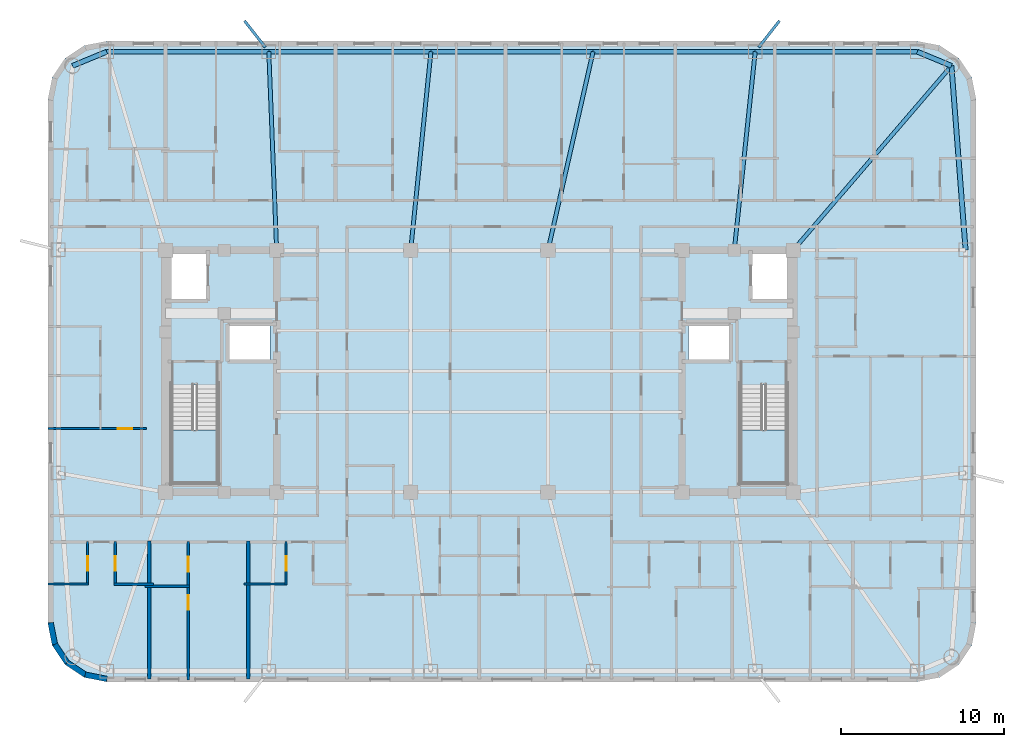
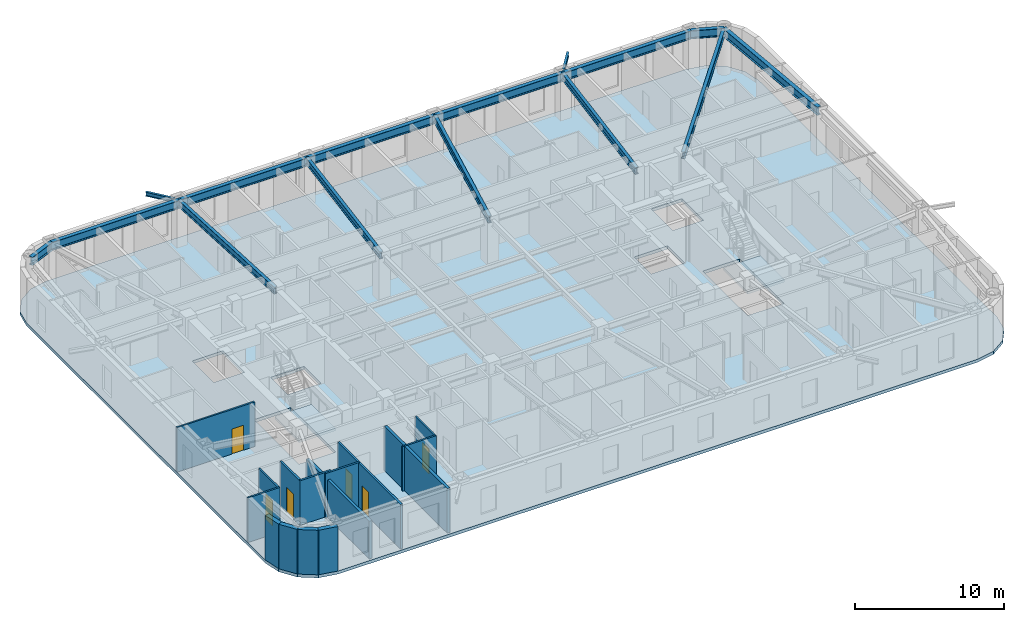
# One storey, part 2 of 11: 16 walls, 15 beams, 6 doors, 3 slabs, 6 openings, 2 elements without a shape of their own.
"""IFC4 building model written with IfcOpenShell, lengths in metres."""

from ifc_helpers import new_model, si_unit, direction, frame, frame_2d, origin, origin_2d, place, context, subcontext, project, spatial, polyline, rectangle, i_section, outline, extrude, material, layer, layer_set, material_profile, profile_set, type_object, element, fill, aggregate, save


model = new_model("IFC4")

# Units and contexts
model_context = context("Model", 3, precision=1e-05, world=origin(), true_north=direction((0.0, 1.0)))
body_context = subcontext(model_context, "Body", "Model", "MODEL_VIEW")
ifc_project = project(units=[si_unit("LENGTHUNIT", "METRE"), si_unit("AREAUNIT", "SQUARE_METRE"), si_unit("VOLUMEUNIT", "CUBIC_METRE"), si_unit("PLANEANGLEUNIT", "RADIAN"), si_unit("MASSUNIT", "GRAM", prefix="KILO")], contexts=[model_context])

# Site, building, storey
site_placement = place(None, origin())
site = spatial("IfcSite", under=ifc_project, at=site_placement, CompositionType="ELEMENT")
building_placement = place(site_placement, origin())
building = spatial("IfcBuilding", under=site, at=building_placement, Name="Voryun Gate Residences", CompositionType="ELEMENT")
storey_placement = place(building_placement, frame((0.0, 0.0, 227.5)))
storey = spatial("IfcBuildingStorey", under=building, at=storey_placement, Name="L56", CompositionType="ELEMENT", Elevation=227.5)

# Beams
ifc_material_1 = material(Name="Steel SM355", Category="steel")
ifc_material_profile_1 = material_profile(ifc_material_1, i_section(OverallWidth=0.169921875, OverallDepth=0.340087890625, WebThickness=0.008056640625, FlangeThickness=0.013916015625, FilletRadius=0.01806640625, at=origin_2d()), Name="H-340x170x8x14")
ifc_profile_set_1 = profile_set([ifc_material_profile_1], Name="Steel SM355")
beam_type_1 = type_object("IfcBeamType", Name="BM_BALC_EDGE", PredefinedType="JOIST", material=ifc_profile_set_1)
for number, where, z_axis, x_axis, name in (
    (1, (17.09619140625, 19.8251953125, 3.47998046875), (0.617611146463, 0.786483611886, 0.0), (-0.786483611886, 0.617611146463, 0.0), "BM-L56-BALBRK-N2"),
    (2, (-13.09619140625, 19.8251953125, 3.47998046875), (-0.617611146463, 0.786483611886, 0.0), (-0.786483611886, -0.617611146463, 0.0), "BM-L56-BALBRK-N5"),
):
    element("IfcBeam", number, at=place(storey_placement, frame(where, z_axis=z_axis, x_axis=x_axis)), inside=storey, type_object=beam_type_1, Name=name, PredefinedType="JOIST", context=body_context, shape_type="SweptSolid", body=[
        extrude(i_section(OverallWidth=0.169921875, OverallDepth=0.340087890625, WebThickness=0.008056640625, FlangeThickness=0.013916015625, FilletRadius=0.01806640625, at=origin_2d()), origin(), (0.0, 0.0, 1.0), 2.050048828125),
    ])
ifc_material_2 = material(Name="Steel SM355", Category="steel")
ifc_material_profile_2 = material_profile(ifc_material_2, i_section(OverallWidth=0.300048828125, OverallDepth=0.679931640625, WebThickness=0.013916015625, FlangeThickness=0.02490234375, FilletRadius=0.01806640625, at=origin_2d()), Name="H-680x300x14x25")
ifc_profile_set_2 = profile_set([ifc_material_profile_2], Name="Steel SM355")
beam_type_2 = type_object("IfcBeamType", Name="BM_EXO_SPANDREL_M", PredefinedType="SPANDREL", material=ifc_profile_set_2)
beam_1_placement = place(storey_placement, frame((29.75, 7.422119140625, 3.31005859375), z_axis=(-0.076481657417, 0.997070988485, 0.0), x_axis=(-0.997070988485, -0.076481657417, 0.0)))
element("IfcBeam", 3, at=beam_1_placement, inside=storey, type_object=beam_type_2, Name="BM-L56-SPAND-09", PredefinedType="SPANDREL", context=body_context, shape_type="SweptSolid", body=[
    extrude(i_section(OverallWidth=0.300048828125, OverallDepth=0.679931640625, WebThickness=0.013916015625, FlangeThickness=0.02490234375, FilletRadius=0.01806640625, at=origin_2d()), origin(), (0.0, 0.0, 1.0), 11.297119140625),
])
beam_2_placement = place(storey_placement, frame((28.885986328125, 18.68603515625, 3.31005859375), z_axis=(-0.923881087602, 0.382679678022, 0.0), x_axis=(-0.382679678022, -0.923881087602, 0.0)))
element("IfcBeam", 4, at=beam_2_placement, inside=storey, type_object=beam_type_2, Name="BM-L56-SPAND-10", PredefinedType="SPANDREL", context=body_context, shape_type="SweptSolid", body=[
    extrude(i_section(OverallWidth=0.300048828125, OverallDepth=0.679931640625, WebThickness=0.013916015625, FlangeThickness=0.02490234375, FilletRadius=0.01806640625, at=origin_2d()), origin(), (0.0, 0.0, 1.0), 2.2578125),
])
beam_3_placement = place(storey_placement, frame((26.800048828125, 19.550048828125, 3.31005859375), z_axis=(-1.0, 0.0, 0.0), x_axis=(0.0, -1.0, 0.0)))
element("IfcBeam", 5, at=beam_3_placement, inside=storey, type_object=beam_type_2, Name="BM-L56-SPAND-11", PredefinedType="SPANDREL", context=body_context, shape_type="SweptSolid", body=[
    extrude(i_section(OverallWidth=0.300048828125, OverallDepth=0.679931640625, WebThickness=0.013916015625, FlangeThickness=0.02490234375, FilletRadius=0.01806640625, at=origin_2d()), origin(), (0.0, 0.0, 1.0), 9.920166015625),
])
for number, where, z_axis, x_axis, name in (
    (6, (16.8798828125, 19.550048828125, 3.31005859375), (-1.0, 0.0, 0.0), (0.0, -1.0, 0.0), "BM-L56-SPAND-12"),
    (7, (6.9599609375, 19.550048828125, 3.31005859375), (-1.0, 0.0, 0.0), (0.0, -1.0, 0.0), "BM-L56-SPAND-13"),
    (8, (-2.9599609375, 19.550048828125, 3.31005859375), (-1.0, 0.0, 0.0), (0.0, -1.0, 0.0), "BM-L56-SPAND-14"),
):
    element("IfcBeam", number, at=place(storey_placement, frame(where, z_axis=z_axis, x_axis=x_axis)), inside=storey, type_object=beam_type_2, Name=name, PredefinedType="SPANDREL", context=body_context, shape_type="SweptSolid", body=[
        extrude(i_section(OverallWidth=0.300048828125, OverallDepth=0.679931640625, WebThickness=0.013916015625, FlangeThickness=0.02490234375, FilletRadius=0.01806640625, at=origin_2d()), origin(), (0.0, 0.0, 1.0), 9.919921875),
    ])
beam_4_placement = place(storey_placement, frame((-12.8798828125, 19.550048828125, 3.31005859375), z_axis=(-1.0, 0.0, 0.0), x_axis=(0.0, -1.0, 0.0)))
element("IfcBeam", 9, at=beam_4_placement, inside=storey, type_object=beam_type_2, Name="BM-L56-SPAND-15", PredefinedType="SPANDREL", context=body_context, shape_type="SweptSolid", body=[
    extrude(i_section(OverallWidth=0.300048828125, OverallDepth=0.679931640625, WebThickness=0.013916015625, FlangeThickness=0.02490234375, FilletRadius=0.01806640625, at=origin_2d()), origin(), (0.0, 0.0, 1.0), 9.920166015625),
])
beam_5_placement = place(storey_placement, frame((-22.800048828125, 19.550048828125, 3.31005859375), z_axis=(-0.923881087602, -0.382679678022, 0.0), x_axis=(0.382679678022, -0.923881087602, 0.0)))
element("IfcBeam", 10, at=beam_5_placement, inside=storey, type_object=beam_type_2, Name="BM-L56-SPAND-16", PredefinedType="SPANDREL", context=body_context, shape_type="SweptSolid", body=[
    extrude(i_section(OverallWidth=0.300048828125, OverallDepth=0.679931640625, WebThickness=0.013916015625, FlangeThickness=0.02490234375, FilletRadius=0.01806640625, at=origin_2d()), origin(), (0.0, 0.0, 1.0), 2.2578125),
])
ifc_material_3 = material(Name="Steel SM355", Category="steel")
ifc_material_profile_3 = material_profile(ifc_material_3, i_section(OverallWidth=0.239990234375, OverallDepth=0.550048828125, WebThickness=0.011962890625, FlangeThickness=0.02001953125, FilletRadius=0.01806640625, at=origin_2d()), Name="H-550x240x12x20")
ifc_profile_set_3 = profile_set([ifc_material_profile_3], Name="Steel SM355")
beam_type_3 = type_object("IfcBeamType", Name="BM_GIRD_550", PredefinedType="USERDEFINED", material=ifc_profile_set_3)
beam_6_placement = place(storey_placement, frame((19.199951171875, 7.39990234375, 3.375), z_axis=(0.651264396721, 0.758850898111, 0.0), x_axis=(-0.758850898111, 0.651264396721, 0.0)))
element("IfcBeam", 11, at=beam_6_placement, inside=storey, type_object=beam_type_3, Name="BM-L56-RAD-CNE", ObjectType="GIRDER", PredefinedType="USERDEFINED", context=body_context, shape_type="SweptSolid", body=[
    extrude(i_section(OverallWidth=0.239990234375, OverallDepth=0.550048828125, WebThickness=0.011962890625, FlangeThickness=0.02001953125, FilletRadius=0.01806640625, at=origin_2d()), origin(), (0.0, 0.0, 1.0), 14.87255859375),
])
beam_7_placement = place(storey_placement, frame((15.60009765625, 7.39990234375, 3.375), z_axis=(0.104751358085, 0.994498442925, 0.0), x_axis=(-0.994498442925, 0.104751358085, 0.0)))
element("IfcBeam", 12, at=beam_7_placement, inside=storey, type_object=beam_type_3, Name="BM-L56-RAD-N2", ObjectType="GIRDER", PredefinedType="USERDEFINED", context=body_context, shape_type="SweptSolid", body=[
    extrude(i_section(OverallWidth=0.239990234375, OverallDepth=0.550048828125, WebThickness=0.011962890625, FlangeThickness=0.02001953125, FilletRadius=0.01806640625, at=origin_2d()), origin(), (0.0, 0.0, 1.0), 12.21728515625),
])
beam_8_placement = place(storey_placement, frame((4.199951171875, 7.39990234375, 3.375), z_axis=(0.221515238368, 0.975156910026, 0.0), x_axis=(-0.975156910026, 0.221515238368, 0.0)))
element("IfcBeam", 13, at=beam_8_placement, inside=storey, type_object=beam_type_3, Name="BM-L56-RAD-N3", ObjectType="GIRDER", PredefinedType="USERDEFINED", context=body_context, shape_type="SweptSolid", body=[
    extrude(i_section(OverallWidth=0.239990234375, OverallDepth=0.550048828125, WebThickness=0.011962890625, FlangeThickness=0.02001953125, FilletRadius=0.01806640625, at=origin_2d()), origin(), (0.0, 0.0, 1.0), 12.459716796875),
])
beam_9_placement = place(storey_placement, frame((-4.199951171875, 7.39990234375, 3.375), z_axis=(0.101528223047, 0.994832659257, 0.0), x_axis=(-0.994832659257, 0.101528223047, 0.0)))
element("IfcBeam", 14, at=beam_9_placement, inside=storey, type_object=beam_type_3, Name="BM-L56-RAD-N4", ObjectType="GIRDER", PredefinedType="USERDEFINED", context=body_context, shape_type="SweptSolid", body=[
    extrude(i_section(OverallWidth=0.239990234375, OverallDepth=0.550048828125, WebThickness=0.011962890625, FlangeThickness=0.02001953125, FilletRadius=0.01806640625, at=origin_2d()), origin(), (0.0, 0.0, 1.0), 12.213134765625),
])
beam_10_placement = place(storey_placement, frame((-12.39990234375, 7.39990234375, 3.375), z_axis=(-0.039473300578, 0.999220625558, 0.0), x_axis=(-0.999220625558, -0.039473300578, 0.0)))
element("IfcBeam", 15, at=beam_10_placement, inside=storey, type_object=beam_type_3, Name="BM-L56-RAD-N5", ObjectType="GIRDER", PredefinedType="USERDEFINED", context=body_context, shape_type="SweptSolid", body=[
    extrude(i_section(OverallWidth=0.239990234375, OverallDepth=0.550048828125, WebThickness=0.011962890625, FlangeThickness=0.02001953125, FilletRadius=0.01806640625, at=origin_2d()), origin(), (0.0, 0.0, 1.0), 12.15966796875),
])

# Slab
ifc_material_4 = material(Name="Concrete C40/50", Category="concrete")
ifc_layer_1 = layer(ifc_material_4, 0.25, Name="SLB_RES_250")
ifc_layer_set_1 = layer_set([ifc_layer_1], Name="Concrete C40/50")
slab_type_1 = type_object("IfcSlabType", Name="SLB_RES_250", PredefinedType="FLOOR", material=ifc_layer_set_1)
slab_1_placement = place(storey_placement, frame((0.0, 0.0, -0.25)))
element("IfcSlab", 16, at=slab_1_placement, inside=storey, type_object=slab_type_1, Name="L56 Structural Floor Slab", PredefinedType="FLOOR", context=body_context, shape_type="SweptSolid", body=[
    extrude(outline(polyline([(-22.800048828125, -19.0), (-24.177734375, -18.72607421875), (-25.345458984375, -17.945556640625), (-26.1259765625, -16.777587890625), (-26.39990234375, -15.39990234375), (-26.39990234375, 16.60009765625), (-26.1259765625, 17.9775390625), (-25.345458984375, 19.1455078125), (-24.177734375, 19.926025390625), (-22.800048828125, 20.199951171875), (26.800048828125, 20.199951171875), (28.177734375, 19.926025390625), (29.345458984375, 19.1455078125), (30.1259765625, 17.9775390625), (30.39990234375, 16.60009765625), (30.39990234375, -15.39990234375), (30.1259765625, -16.777587890625), (29.345458984375, -17.945556640625), (28.177734375, -18.72607421875), (26.800048828125, -19.0), (-22.800048828125, -19.0)]), holes=[polyline([(-15.97509765625, -0.840087890625), (-18.824951171875, -0.840087890625), (-18.824951171875, -6.85009765625), (-15.97509765625, -6.85009765625), (-15.97509765625, -0.840087890625)]), polyline([(18.824951171875, -6.85009765625), (18.824951171875, -0.840087890625), (15.97509765625, -0.840087890625), (15.97509765625, -6.85009765625), (18.824951171875, -6.85009765625)]), polyline([(-12.800048828125, 2.89990234375), (-15.39990234375, 2.89990234375), (-15.39990234375, 0.60009765625), (-12.800048828125, 0.60009765625), (-12.800048828125, 2.89990234375)]), polyline([(12.800048828125, 2.89990234375), (12.800048828125, 0.60009765625), (15.39990234375, 0.60009765625), (15.39990234375, 2.89990234375), (12.800048828125, 2.89990234375)]), polyline([(-16.60009765625, 7.199951171875), (-19.0, 7.199951171875), (-19.0, 4.300048828125), (-16.60009765625, 4.300048828125), (-16.60009765625, 7.199951171875)]), polyline([(19.0, 7.199951171875), (16.60009765625, 7.199951171875), (16.60009765625, 4.300048828125), (19.0, 4.300048828125), (19.0, 7.199951171875)])]), origin(), (0.0, 0.0, 1.0), 0.25),
])

# Stair, slab
ifc_material_5 = material(Name="Concrete C40/50", Category="concrete")
stair_type = type_object("IfcStairType", Name="STR_CORE_DOGLEG_1350", PredefinedType="HALF_TURN_STAIR", material=ifc_material_5)
stair_1_placement = place(storey_placement, origin())
stair_1 = element("IfcStair", 17, at=stair_1_placement, inside=storey, type_object=stair_type, Name="L56 Special Escape Stair ST-W1", PredefinedType="HALF_TURN_STAIR")
ifc_material_6 = material(Name="Concrete C40/50", Category="concrete")
ifc_layer_2 = layer(ifc_material_6, 0.199951171875, Name="SLB_STAIR_LANDING_200")
ifc_layer_set_2 = layer_set([ifc_layer_2], Name="Concrete C40/50")
slab_type_2 = type_object("IfcSlabType", Name="SLB_STAIR_LANDING_200", PredefinedType="LANDING", material=ifc_layer_set_2)
slab_2_placement = place(storey_placement, frame((0.0, 0.0, 1.75)))
slab_2 = element("IfcSlab", 18, at=slab_2_placement, type_object=slab_type_2, Name="ST-W1 landing 1", PredefinedType="LANDING", context=body_context, shape_type="SweptSolid", body=[
    extrude(outline(polyline([(-18.824951171875, -3.60009765625), (-18.824951171875, -6.85009765625), (-15.97509765625, -6.85009765625), (-15.97509765625, -3.60009765625), (-18.824951171875, -3.60009765625)])), origin(), (0.0, 0.0, 1.0), 0.199951171875),
])
aggregate(stair_1, [slab_2])

stair_2_placement = place(storey_placement, origin())
stair_2 = element("IfcStair", 19, at=stair_2_placement, inside=storey, type_object=stair_type, Name="L56 Special Escape Stair ST-E1", PredefinedType="HALF_TURN_STAIR")
slab_3_placement = place(storey_placement, frame((0.0, 0.0, 1.75)))
slab_3 = element("IfcSlab", 20, at=slab_3_placement, type_object=slab_type_2, Name="ST-E1 landing 1", PredefinedType="LANDING", context=body_context, shape_type="SweptSolid", body=[
    extrude(outline(polyline([(15.97509765625, -3.60009765625), (15.97509765625, -6.85009765625), (18.824951171875, -6.85009765625), (18.824951171875, -3.60009765625), (15.97509765625, -3.60009765625)])), origin(), (0.0, 0.0, 1.0), 0.199951171875),
])
aggregate(stair_2, [slab_3])

# Walls
ifc_material_7 = material(Name="Charcoal terracotta masonry", Category="masonry")
ifc_layer_3 = layer(ifc_material_7, 0.340087890625, Name="W_EXT_TERRACOTTA_340")
ifc_layer_set_3 = layer_set([ifc_layer_3], Name="Charcoal terracotta masonry")
wall_type_1 = type_object("IfcWallType", Name="W_EXT_TERRACOTTA_340", PredefinedType="ELEMENTEDWALL", material=ifc_layer_set_3)
wall_1_placement = place(storey_placement, frame((-22.783203125, -18.830078125, 0.0), z_axis=(0.0, 0.0, 1.0), x_axis=(-0.980788153188, 0.195075878998, 0.0)))
element("IfcWall", 21, at=wall_1_placement, inside=storey, type_object=wall_type_1, Name="Exterior wall WEXT-L56-02", PredefinedType="ELEMENTEDWALL", context=body_context, shape_type="SweptSolid", body=[
    extrude(rectangle(XDim=1.354248046875, YDim=0.340087890625, at=frame_2d((0.67724609375, 0.0))), origin(), (0.0, 0.0, 1.0), 3.64990234375),
])
wall_2_placement = place(storey_placement, frame((-24.111328125, -18.56591796875, 0.0), z_axis=(0.0, 0.0, 1.0), x_axis=(-0.831403586725, 0.555669034571, 0.0)))
element("IfcWall", 22, at=wall_2_placement, inside=storey, type_object=wall_type_1, Name="Exterior wall WEXT-L56-03", PredefinedType="ELEMENTEDWALL", context=body_context, shape_type="SweptSolid", body=[
    extrude(rectangle(XDim=1.3369140625, YDim=0.340087890625, at=frame_2d((0.66845703125, 0.0))), origin(), (0.0, 0.0, 1.0), 3.64990234375),
])
wall_3_placement = place(storey_placement, frame((-25.222900390625, -17.822998046875, 0.0), z_axis=(0.0, 0.0, 1.0), x_axis=(-0.555584683399, 0.831459956686, 0.0)))
element("IfcWall", 23, at=wall_3_placement, inside=storey, type_object=wall_type_1, Name="Exterior wall WEXT-L56-04", PredefinedType="ELEMENTEDWALL", context=body_context, shape_type="SweptSolid", body=[
    extrude(rectangle(XDim=1.337158203125, YDim=0.340087890625, at=frame_2d((0.66845703125, 0.0))), origin(), (0.0, 0.0, 1.0), 3.64990234375),
])
wall_4_placement = place(storey_placement, frame((-25.9658203125, -16.711181640625, 0.0), z_axis=(0.0, 0.0, 1.0), x_axis=(-0.195110379894, 0.98078129043, 0.0)))
element("IfcWall", 24, at=wall_4_placement, inside=storey, type_object=wall_type_1, Name="Exterior wall WEXT-L56-05", PredefinedType="ELEMENTEDWALL", context=body_context, shape_type="SweptSolid", body=[
    extrude(rectangle(XDim=1.35400390625, YDim=0.340087890625, at=frame_2d((0.677001953125, 0.0))), origin(), (0.0, 0.0, 1.0), 3.64990234375),
])
ifc_material_8 = material(Name="Concrete C40/50", Category="concrete")
ifc_layer_4 = layer(ifc_material_8, 0.219970703125, Name="W_PARTY_ACOUSTIC_220")
ifc_layer_set_4 = layer_set([ifc_layer_4], Name="Concrete C40/50")
wall_type_2 = type_object("IfcWallType", Name="W_PARTY_ACOUSTIC_220", PredefinedType="PARTITIONING", material=ifc_layer_set_4)
wall_5_placement = place(storey_placement, frame((-20.18505859375, -18.830078125, 0.0), z_axis=(0.0, 0.0, 1.0), x_axis=(0.0, 1.0, 0.0)))
element("IfcWall", 25, at=wall_5_placement, inside=storey, type_object=wall_type_2, Name="Partition wall WP-L56-SPTY-1", PredefinedType="PARTITIONING", context=body_context, shape_type="SweptSolid", body=[
    extrude(rectangle(XDim=8.4599609375, YDim=0.219970703125, at=frame_2d((4.22998046875, 0.0))), origin(), (0.0, 0.0, 1.0), 3.090087890625),
])
wall_6_placement = place(storey_placement, frame((-14.132080078125, -18.830078125, 0.0), z_axis=(0.0, 0.0, 1.0), x_axis=(0.0, 1.0, 0.0)))
element("IfcWall", 26, at=wall_6_placement, inside=storey, type_object=wall_type_2, Name="Partition wall WP-L56-SPTY-2", PredefinedType="PARTITIONING", context=body_context, shape_type="SweptSolid", body=[
    extrude(rectangle(XDim=8.4599609375, YDim=0.219970703125, at=frame_2d((4.22998046875, 0.0))), origin(), (0.0, 0.0, 1.0), 3.64990234375),
])

# Wall, opening, door
ifc_material_9 = material(Name="Gypsum acoustic partition")
ifc_layer_5 = layer(ifc_material_9, 0.125, Name="W_UNIT_PART_125")
ifc_layer_set_5 = layer_set([ifc_layer_5], Name="Gypsum acoustic partition")
wall_type_3 = type_object("IfcWallType", Name="W_UNIT_PART_125", PredefinedType="PARTITIONING", material=ifc_layer_set_5)
wall_7_placement = place(storey_placement, frame((-23.9599609375, -13.080078125, 0.0), z_axis=(0.0, 0.0, 1.0), x_axis=(0.0, 1.0, 0.0)))
wall_7 = element("IfcWall", 27, at=wall_7_placement, inside=storey, type_object=wall_type_3, Name="Partition wall WP-L56-S1-CVK", PredefinedType="PARTITIONING", context=body_context, shape_type="SweptSolid", body=[
    extrude(rectangle(XDim=2.650146484375, YDim=0.125, at=frame_2d((1.3251953125, 0.0))), origin(), (0.0, 0.0, 1.0), 3.64990234375),
])
opening_1_placement = place(wall_7_placement, frame((0.875, 0.0, 0.0)))
opening_1 = element("IfcOpeningElement", 28, at=opening_1_placement, cuts=wall_7, Name="Opening D-INT-2", PredefinedType="OPENING", context=body_context, shape_type="SweptSolid", body=[
    extrude(rectangle(XDim=0.89990234375, YDim=2.050048828125, at=frame_2d((0.449951171875, 1.02490234375))), frame((0.0, 0.072509765625, 0.0), z_axis=(0.0, -1.0, 0.0), x_axis=(1.0, 0.0, 0.0)), (0.0, 0.0, 1.0), 0.14501953125),
])
ifc_material_10 = material(Name="Architectural oak veneer")
door_type = type_object("IfcDoorType", Name="DR_INT_BATH_900", OperationType="NOTDEFINED", PredefinedType="DOOR", material=ifc_material_10)
door_1_placement = place(opening_1_placement, origin())
door_1 = element("IfcDoor", 29, at=door_1_placement, inside=storey, type_object=door_type, Name="Door DR-L56-S1-DK", OperationType="SINGLE_SWING_LEFT", OverallHeight=2.050048828125, OverallWidth=0.89990234375, PredefinedType="DOOR", context=body_context, shape_type="SweptSolid", body=[
    extrude(rectangle(XDim=0.89990234375, YDim=2.050048828125, at=frame_2d((0.449951171875, 1.02490234375))), frame((0.0, 0.02490234375, 0.0), z_axis=(0.0, -1.0, 0.0), x_axis=(1.0, 0.0, 0.0)), (0.0, 0.0, 1.0), 0.050048828125),
])
fill(opening_1, door_1)

# Wall
wall_8_placement = place(storey_placement, frame((-26.3798828125, -13.02001953125, 0.0), z_axis=(0.0, 0.0, 1.0), x_axis=(1.0, 0.0, 0.0)))
element("IfcWall", 30, at=wall_8_placement, inside=storey, type_object=wall_type_3, Name="Partition wall WP-L56-S1-CHK", PredefinedType="PARTITIONING", context=body_context, shape_type="SweptSolid", body=[
    extrude(rectangle(XDim=2.47998046875, YDim=0.125, at=frame_2d((1.239990234375, 0.0))), origin(), (0.0, 0.0, 1.0), 3.64990234375),
])

# Wall, opening, door
wall_9_placement = place(storey_placement, frame((-11.818115234375, -13.080078125, 0.0), z_axis=(0.0, 0.0, 1.0), x_axis=(0.0, 1.0, 0.0)))
wall_9 = element("IfcWall", 31, at=wall_9_placement, inside=storey, type_object=wall_type_3, Name="Partition wall WP-L56-S3-CVK", PredefinedType="PARTITIONING", context=body_context, shape_type="SweptSolid", body=[
    extrude(rectangle(XDim=2.650146484375, YDim=0.125, at=frame_2d((1.3251953125, 0.0))), origin(), (0.0, 0.0, 1.0), 3.64990234375),
])
opening_2_placement = place(wall_9_placement, frame((0.875, 0.0, 0.0)))
opening_2 = element("IfcOpeningElement", 32, at=opening_2_placement, cuts=wall_9, Name="Opening D-INT-2", PredefinedType="OPENING", context=body_context, shape_type="SweptSolid", body=[
    extrude(rectangle(XDim=0.89990234375, YDim=2.050048828125, at=frame_2d((0.449951171875, 1.02490234375))), frame((0.0, 0.072509765625, 0.0), z_axis=(0.0, -1.0, 0.0), x_axis=(1.0, 0.0, 0.0)), (0.0, 0.0, 1.0), 0.14501953125),
])
door_2_placement = place(opening_2_placement, origin())
door_2 = element("IfcDoor", 33, at=door_2_placement, inside=storey, type_object=door_type, Name="Door DR-L56-S3-DK", OperationType="SINGLE_SWING_LEFT", OverallHeight=2.050048828125, OverallWidth=0.89990234375, PredefinedType="DOOR", context=body_context, shape_type="SweptSolid", body=[
    extrude(rectangle(XDim=0.89990234375, YDim=2.050048828125, at=frame_2d((0.449951171875, 1.02490234375))), frame((0.0, 0.02490234375, 0.0), z_axis=(0.0, -1.0, 0.0), x_axis=(1.0, 0.0, 0.0)), (0.0, 0.0, 1.0), 0.050048828125),
])
fill(opening_2, door_2)

# Wall
wall_10_placement = place(storey_placement, frame((-14.39208984375, -13.02001953125, 0.0), z_axis=(0.0, 0.0, 1.0), x_axis=(1.0, 0.0, 0.0)))
element("IfcWall", 34, at=wall_10_placement, inside=storey, type_object=wall_type_3, Name="Partition wall WP-L56-S3-CHK", PredefinedType="PARTITIONING", context=body_context, shape_type="SweptSolid", body=[
    extrude(rectangle(XDim=2.634033203125, YDim=0.125, at=frame_2d((1.31689453125, 0.0))), origin(), (0.0, 0.0, 1.0), 3.64990234375),
])

# Wall, opening, door
wall_11_placement = place(storey_placement, frame((-26.3798828125, -3.510009765625, 0.0), z_axis=(0.0, 0.0, 1.0), x_axis=(1.0, 0.0, 0.0)))
wall_11 = element("IfcWall", 35, at=wall_11_placement, inside=storey, type_object=wall_type_3, Name="Partition wall WP-L56-W1-HZ3", PredefinedType="PARTITIONING", context=body_context, shape_type="SweptSolid", body=[
    extrude(rectangle(XDim=6.02978515625, YDim=0.125, at=frame_2d((3.014892578125, 0.0))), origin(), (0.0, 0.0, 1.0), 3.64990234375),
])
opening_3_placement = place(wall_11_placement, frame((4.25341796875, 0.0, 0.0)))
opening_3 = element("IfcOpeningElement", 36, at=opening_3_placement, cuts=wall_11, Name="Opening D-INT-2", PredefinedType="OPENING", context=body_context, shape_type="SweptSolid", body=[
    extrude(rectangle(XDim=0.89990234375, YDim=2.050048828125, at=frame_2d((0.449951171875, 1.02490234375))), frame((0.0, 0.072509765625, 0.0), z_axis=(0.0, -1.0, 0.0), x_axis=(1.0, 0.0, 0.0)), (0.0, 0.0, 1.0), 0.14501953125),
])
door_3_placement = place(opening_3_placement, origin())
door_3 = element("IfcDoor", 37, at=door_3_placement, inside=storey, type_object=door_type, Name="Door DR-L56-W1-DMB", OperationType="SINGLE_SWING_LEFT", OverallHeight=2.050048828125, OverallWidth=0.89990234375, PredefinedType="DOOR", context=body_context, shape_type="SweptSolid", body=[
    extrude(rectangle(XDim=0.89990234375, YDim=2.050048828125, at=frame_2d((0.449951171875, 1.02490234375))), frame((0.0, 0.02490234375, 0.0), z_axis=(0.0, -1.0, 0.0), x_axis=(1.0, 0.0, 0.0)), (0.0, 0.0, 1.0), 0.050048828125),
])
fill(opening_3, door_3)

ifc_material_11 = material(Name="Gypsum moisture-resistant partition")
ifc_layer_6 = layer(ifc_material_11, 0.14990234375, Name="W_WET_PLUMB_150")
ifc_layer_set_6 = layer_set([ifc_layer_6], Name="Gypsum moisture-resistant partition")
wall_type_4 = type_object("IfcWallType", Name="W_WET_PLUMB_150", PredefinedType="PLUMBINGWALL", material=ifc_layer_set_6)
wall_12_placement = place(storey_placement, frame((-22.281982421875, -13.080078125, 0.0), z_axis=(0.0, 0.0, 1.0), x_axis=(0.0, 1.0, 0.0)))
wall_12 = element("IfcWall", 38, at=wall_12_placement, inside=storey, type_object=wall_type_4, Name="Partition wall WP-L56-S1-CVB", PredefinedType="PLUMBINGWALL", context=body_context, shape_type="SweptSolid", body=[
    extrude(rectangle(XDim=2.650146484375, YDim=0.14990234375, at=frame_2d((1.3251953125, 0.0))), origin(), (0.0, 0.0, 1.0), 3.64990234375),
])
opening_4_placement = place(wall_12_placement, frame((0.875, 0.0, 0.0)))
opening_4 = element("IfcOpeningElement", 39, at=opening_4_placement, cuts=wall_12, Name="Opening D-INT-2", PredefinedType="OPENING", context=body_context, shape_type="SweptSolid", body=[
    extrude(rectangle(XDim=0.89990234375, YDim=2.050048828125, at=frame_2d((0.449951171875, 1.02490234375))), frame((0.0, 0.0849609375, 0.0), z_axis=(0.0, -1.0, 0.0), x_axis=(1.0, 0.0, 0.0)), (0.0, 0.0, 1.0), 0.169921875),
])
door_4_placement = place(opening_4_placement, origin())
door_4 = element("IfcDoor", 40, at=door_4_placement, inside=storey, type_object=door_type, Name="Door DR-L56-S1-DB", OperationType="SINGLE_SWING_RIGHT", OverallHeight=2.050048828125, OverallWidth=0.89990234375, PredefinedType="DOOR", context=body_context, shape_type="SweptSolid", body=[
    extrude(rectangle(XDim=0.89990234375, YDim=2.050048828125, at=frame_2d((0.449951171875, 1.02490234375))), frame((0.0, 0.02490234375, 0.0), z_axis=(0.0, -1.0, 0.0), x_axis=(1.0, 0.0, 0.0)), (0.0, 0.0, 1.0), 0.050048828125),
])
fill(opening_4, door_4)

# Walls
wall_13_placement = place(storey_placement, frame((-22.342041015625, -13.02001953125, 0.0), z_axis=(0.0, 0.0, 1.0), x_axis=(1.0, 0.0, 0.0)))
element("IfcWall", 41, at=wall_13_placement, inside=storey, type_object=wall_type_4, Name="Partition wall WP-L56-S1-CHB", PredefinedType="PLUMBINGWALL", context=body_context, shape_type="SweptSolid", body=[
    extrude(rectangle(XDim=2.4169921875, YDim=0.14990234375, at=frame_2d((1.20849609375, 0.0))), origin(), (0.0, 0.0, 1.0), 3.64990234375),
])
wall_14_placement = place(storey_placement, frame((-20.445068359375, -13.14990234375, 0.0), z_axis=(0.0, 0.0, 1.0), x_axis=(1.0, 0.0, 0.0)))
element("IfcWall", 42, at=wall_14_placement, inside=storey, type_object=wall_type_4, Name="Partition wall WP-L56-S2-SKB", PredefinedType="PLUMBINGWALL", context=body_context, shape_type="SweptSolid", body=[
    extrude(rectangle(XDim=2.714111328125, YDim=0.14990234375, at=frame_2d((1.35693359375, 0.0))), origin(), (0.0, 0.0, 1.0), 3.64990234375),
])

# Wall, opening, door
wall_15_placement = place(storey_placement, frame((-17.81103515625, -18.876708984375, 0.0), z_axis=(0.0, 0.0, 1.0), x_axis=(0.0, 1.0, 0.0)))
wall_15 = element("IfcWall", 43, at=wall_15_placement, inside=storey, type_object=wall_type_4, Name="Partition wall WP-L56-S2-SVT1", PredefinedType="PLUMBINGWALL", context=body_context, shape_type="SweptSolid", body=[
    extrude(rectangle(XDim=5.7666015625, YDim=0.14990234375, at=frame_2d((2.88330078125, 0.0))), origin(), (0.0, 0.0, 1.0), 3.64990234375),
])
opening_5_placement = place(wall_15_placement, frame((4.27880859375, 0.0, 0.0)))
opening_5 = element("IfcOpeningElement", 44, at=opening_5_placement, cuts=wall_15, Name="Opening D-INT-2", PredefinedType="OPENING", context=body_context, shape_type="SweptSolid", body=[
    extrude(rectangle(XDim=0.89990234375, YDim=2.050048828125, at=frame_2d((0.449951171875, 1.02490234375))), frame((0.0, 0.0849609375, 0.0), z_axis=(0.0, -1.0, 0.0), x_axis=(1.0, 0.0, 0.0)), (0.0, 0.0, 1.0), 0.169921875),
])
door_5_placement = place(opening_5_placement, origin())
door_5 = element("IfcDoor", 45, at=door_5_placement, inside=storey, type_object=door_type, Name="Door DR-L56-S2-DK", OperationType="SINGLE_SWING_LEFT", OverallHeight=2.050048828125, OverallWidth=0.89990234375, PredefinedType="DOOR", context=body_context, shape_type="SweptSolid", body=[
    extrude(rectangle(XDim=0.89990234375, YDim=2.050048828125, at=frame_2d((0.449951171875, 1.02490234375))), frame((0.0, 0.02490234375, 0.0), z_axis=(0.0, -1.0, 0.0), x_axis=(1.0, 0.0, 0.0)), (0.0, 0.0, 1.0), 0.050048828125),
])
fill(opening_5, door_5)

wall_16_placement = place(storey_placement, frame((-17.81103515625, -13.18994140625, 0.0), z_axis=(0.0, 0.0, 1.0), x_axis=(0.0, 1.0, 0.0)))
wall_16 = element("IfcWall", 46, at=wall_16_placement, inside=storey, type_object=wall_type_4, Name="Partition wall WP-L56-S2-SVT2", PredefinedType="PLUMBINGWALL", context=body_context, shape_type="SweptSolid", body=[
    extrude(rectangle(XDim=2.760009765625, YDim=0.14990234375, at=frame_2d((1.3798828125, 0.0))), origin(), (0.0, 0.0, 1.0), 3.64990234375),
])
opening_6_placement = place(wall_16_placement, frame((0.929931640625, 0.0, 0.0)))
opening_6 = element("IfcOpeningElement", 47, at=opening_6_placement, cuts=wall_16, Name="Opening D-INT-2", PredefinedType="OPENING", context=body_context, shape_type="SweptSolid", body=[
    extrude(rectangle(XDim=0.89990234375, YDim=2.050048828125, at=frame_2d((0.449951171875, 1.02490234375))), frame((0.0, 0.0849609375, 0.0), z_axis=(0.0, -1.0, 0.0), x_axis=(1.0, 0.0, 0.0)), (0.0, 0.0, 1.0), 0.169921875),
])
door_6_placement = place(opening_6_placement, origin())
door_6 = element("IfcDoor", 48, at=door_6_placement, inside=storey, type_object=door_type, Name="Door DR-L56-S2-DB", OperationType="SINGLE_SWING_RIGHT", OverallHeight=2.050048828125, OverallWidth=0.89990234375, PredefinedType="DOOR", context=body_context, shape_type="SweptSolid", body=[
    extrude(rectangle(XDim=0.89990234375, YDim=2.050048828125, at=frame_2d((0.449951171875, 1.02490234375))), frame((0.0, 0.02490234375, 0.0), z_axis=(0.0, -1.0, 0.0), x_axis=(1.0, 0.0, 0.0)), (0.0, 0.0, 1.0), 0.050048828125),
])
fill(opening_6, door_6)

save(model, "model.ifc")
